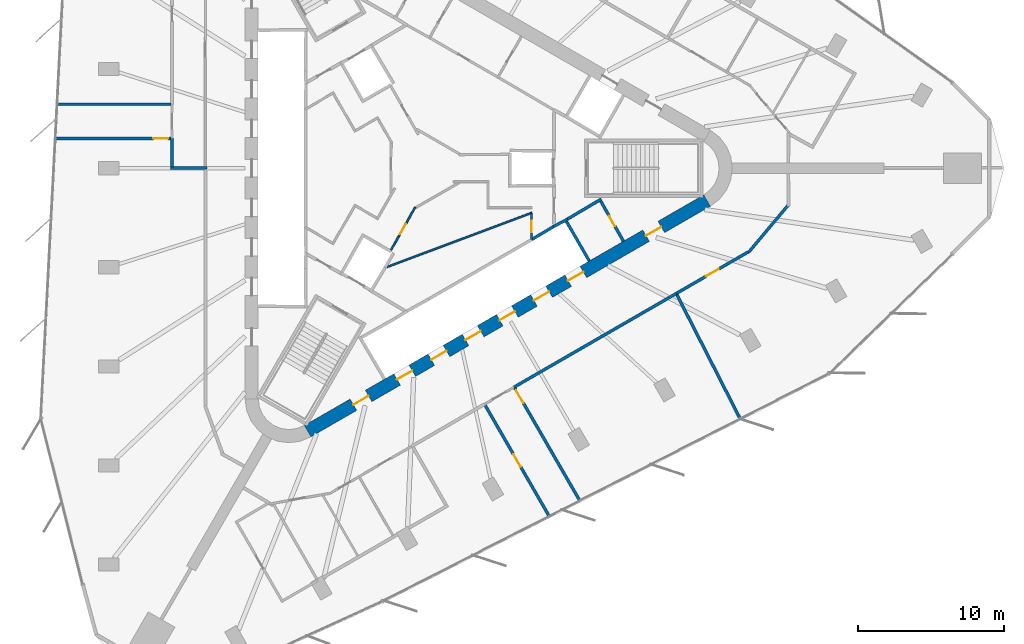
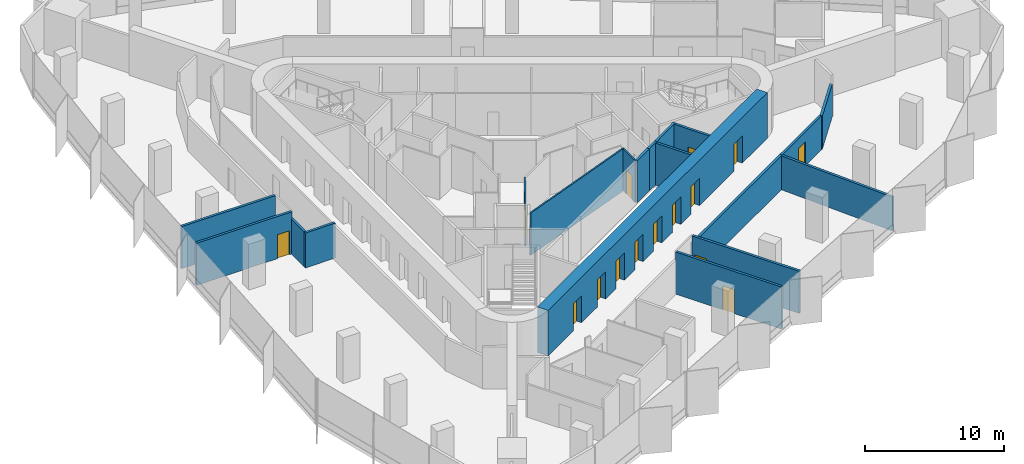
# One storey, part 9 of 14: 19 walls, 15 doors, 15 openings.
"""IFC4 building model written with IfcOpenShell, lengths in metres."""

from ifc_helpers import new_model, si_unit, direction, frame, frame_2d, origin, place, context, subcontext, project, spatial, rectangle, extrude, material, layer, layer_set, type_object, element, fill, save


model = new_model("IFC4")

# Units and contexts
model_context = context("Model", 3, precision=1e-05, world=origin(), true_north=direction((0.0, 1.0)))
body_context = subcontext(model_context, "Body", "Model", "MODEL_VIEW")
ifc_project = project(units=[si_unit("LENGTHUNIT", "METRE"), si_unit("AREAUNIT", "SQUARE_METRE"), si_unit("VOLUMEUNIT", "CUBIC_METRE"), si_unit("PLANEANGLEUNIT", "RADIAN"), si_unit("MASSUNIT", "GRAM", prefix="KILO")], contexts=[model_context])

# Site, building, storey
site_placement = place(None, origin())
site = spatial("IfcSite", under=ifc_project, at=site_placement, CompositionType="ELEMENT")
building_placement = place(site_placement, origin())
building = spatial("IfcBuilding", under=site, at=building_placement, Name="Tanit Gate Tower", CompositionType="ELEMENT")
storey_placement = place(building_placement, frame((0.0, 0.0, 261.199951171875)))
storey = spatial("IfcBuildingStorey", under=building, at=storey_placement, Name="L59", CompositionType="ELEMENT", Elevation=261.199951171875)

# Wall, openings, doors
ifc_material_1 = material(Name="Concrete C50/60", Category="concrete")
ifc_layer_1 = layer(ifc_material_1, 0.89990234375)
ifc_layer_set_1 = layer_set([ifc_layer_1], Name="CORE WALL 900 C50/60")
wall_type_1 = type_object("IfcWallType", Name="CORE WALL 900 C50/60", PredefinedType="SHEAR", material=ifc_layer_set_1)
wall_1_placement = place(storey_placement, frame((-7.824951171875, -17.969970703125, 0.0), z_axis=(0.0, 0.0, 1.0), x_axis=(0.866028369851, 0.499994862586, 0.0)))
wall_1 = element("IfcWall", 1, at=wall_1_placement, inside=storey, type_object=wall_type_1, Name="CORE WALL", PredefinedType="SHEAR", context=body_context, shape_type="SweptSolid", body=[
    extrude(rectangle(XDim=31.523193359375, YDim=0.89990234375, at=frame_2d((15.76171875, 0.0))), origin(), (0.0, 0.0, 1.0), 4.0),
])
opening_1_placement = place(wall_1_placement, frame((7.061767578125, 0.0, 0.0)))
opening_1 = element("IfcOpeningElement", 2, at=opening_1_placement, cuts=wall_1, Name="Opening LDSX1-S16", PredefinedType="OPENING", context=body_context, shape_type="SweptSolid", body=[
    extrude(rectangle(XDim=1.199951171875, YDim=2.39990234375, at=frame_2d((0.60009765625, 1.199951171875))), frame((0.0, 0.4599609375, 0.0), z_axis=(0.0, -1.0, 0.0), x_axis=(1.0, 0.0, 0.0)), (0.0, 0.0, 1.0), 0.919921875),
])
opening_2_placement = place(wall_1_placement, frame((9.76171875, 0.0, 0.0)))
opening_2 = element("IfcOpeningElement", 3, at=opening_2_placement, cuts=wall_1, Name="Opening LDSX2-S16", PredefinedType="OPENING", context=body_context, shape_type="SweptSolid", body=[
    extrude(rectangle(XDim=1.199951171875, YDim=2.39990234375, at=frame_2d((0.60009765625, 1.199951171875))), frame((0.0, 0.4599609375, 0.0), z_axis=(0.0, -1.0, 0.0), x_axis=(1.0, 0.0, 0.0)), (0.0, 0.0, 1.0), 0.919921875),
])
opening_3_placement = place(wall_1_placement, frame((12.461669921875, 0.0, 0.0)))
opening_3 = element("IfcOpeningElement", 4, at=opening_3_placement, cuts=wall_1, Name="Opening LDSX3-S16", PredefinedType="OPENING", context=body_context, shape_type="SweptSolid", body=[
    extrude(rectangle(XDim=1.199951171875, YDim=2.39990234375, at=frame_2d((0.60009765625, 1.199951171875))), frame((0.0, 0.4599609375, 0.0), z_axis=(0.0, -1.0, 0.0), x_axis=(1.0, 0.0, 0.0)), (0.0, 0.0, 1.0), 0.919921875),
])
opening_4_placement = place(wall_1_placement, frame((15.16162109375, 0.0, 0.0)))
opening_4 = element("IfcOpeningElement", 5, at=opening_4_placement, cuts=wall_1, Name="Opening LDSX4-S16", PredefinedType="OPENING", context=body_context, shape_type="SweptSolid", body=[
    extrude(rectangle(XDim=1.199951171875, YDim=2.39990234375, at=frame_2d((0.60009765625, 1.199951171875))), frame((0.0, 0.4599609375, 0.0), z_axis=(0.0, -1.0, 0.0), x_axis=(1.0, 0.0, 0.0)), (0.0, 0.0, 1.0), 0.919921875),
])
opening_5_placement = place(wall_1_placement, frame((17.861572265625, 0.0, 0.0)))
opening_5 = element("IfcOpeningElement", 6, at=opening_5_placement, cuts=wall_1, Name="Opening LDSV1-S16", PredefinedType="OPENING", context=body_context, shape_type="SweptSolid", body=[
    extrude(rectangle(XDim=1.199951171875, YDim=2.39990234375, at=frame_2d((0.60009765625, 1.199951171875))), frame((0.0, 0.4599609375, 0.0), z_axis=(0.0, -1.0, 0.0), x_axis=(1.0, 0.0, 0.0)), (0.0, 0.0, 1.0), 0.919921875),
])
opening_6_placement = place(wall_1_placement, frame((20.561767578125, 0.0, 0.0)))
opening_6 = element("IfcOpeningElement", 7, at=opening_6_placement, cuts=wall_1, Name="Opening LDSV2-S16", PredefinedType="OPENING", context=body_context, shape_type="SweptSolid", body=[
    extrude(rectangle(XDim=1.199951171875, YDim=2.39990234375, at=frame_2d((0.60009765625, 1.199951171875))), frame((0.0, 0.4599609375, 0.0), z_axis=(0.0, -1.0, 0.0), x_axis=(1.0, 0.0, 0.0)), (0.0, 0.0, 1.0), 0.919921875),
])
opening_7_placement = place(wall_1_placement, frame((26.711669921875, 0.0, 0.0)))
opening_7 = element("IfcOpeningElement", 8, at=opening_7_placement, cuts=wall_1, Name="Opening F12-S16-S1", PredefinedType="OPENING", context=body_context, shape_type="SweptSolid", body=[
    extrude(rectangle(XDim=1.199951171875, YDim=2.39990234375, at=frame_2d((0.60009765625, 1.199951171875))), frame((0.0, 0.4599609375, 0.0), z_axis=(0.0, -1.0, 0.0), x_axis=(1.0, 0.0, 0.0)), (0.0, 0.0, 1.0), 0.919921875),
])
opening_8_placement = place(wall_1_placement, frame((3.611572265625, 0.0, 0.0)))
opening_8 = element("IfcOpeningElement", 9, at=opening_8_placement, cuts=wall_1, Name="Opening F12-S16-FL3", PredefinedType="OPENING", context=body_context, shape_type="SweptSolid", body=[
    extrude(rectangle(XDim=1.199951171875, YDim=2.39990234375, at=frame_2d((0.60009765625, 1.199951171875))), frame((0.0, 0.4599609375, 0.0), z_axis=(0.0, -1.0, 0.0), x_axis=(1.0, 0.0, 0.0)), (0.0, 0.0, 1.0), 0.919921875),
])
ifc_material_2 = material(Name="Fire-rated steel door leaf", Category="steel")
door_type_1 = type_object("IfcDoorType", Name="INT-DOOR-FIRE-LOBBY-1200", OperationType="NOTDEFINED", PredefinedType="USERDEFINED", material=ifc_material_2)
door_1_placement = place(opening_7_placement, origin())
door_1 = element("IfcDoor", 10, at=door_1_placement, inside=storey, type_object=door_type_1, Name="Door F12-S16-S1", ObjectType="FIRE DOOR", OperationType="SINGLE_SWING_RIGHT", OverallHeight=2.39990234375, OverallWidth=1.199951171875, PredefinedType="USERDEFINED", context=body_context, shape_type="SweptSolid", body=[
    extrude(rectangle(XDim=1.199951171875, YDim=2.39990234375, at=frame_2d((0.60009765625, 1.199951171875))), frame((0.0, 0.02490234375, 0.0), z_axis=(0.0, -1.0, 0.0), x_axis=(1.0, 0.0, 0.0)), (0.0, 0.0, 1.0), 0.050048828125),
])
fill(opening_7, door_1)
door_2_placement = place(opening_8_placement, origin())
door_2 = element("IfcDoor", 11, at=door_2_placement, inside=storey, type_object=door_type_1, Name="Door F12-S16-FL3", ObjectType="FIRE DOOR", OperationType="SINGLE_SWING_LEFT", OverallHeight=2.39990234375, OverallWidth=1.199951171875, PredefinedType="USERDEFINED", context=body_context, shape_type="SweptSolid", body=[
    extrude(rectangle(XDim=1.199951171875, YDim=2.39990234375, at=frame_2d((0.60009765625, 1.199951171875))), frame((0.0, 0.02490234375, 0.0), z_axis=(0.0, -1.0, 0.0), x_axis=(1.0, 0.0, 0.0)), (0.0, 0.0, 1.0), 0.050048828125),
])
fill(opening_8, door_2)
ifc_material_3 = material(Name="Stainless steel sliding door leaf", Category="steel")
door_type_2 = type_object("IfcDoorType", Name="INT-DOOR-LANDING-1200", OperationType="NOTDEFINED", PredefinedType="USERDEFINED", material=ifc_material_3)
door_3_placement = place(opening_1_placement, origin())
door_3 = element("IfcDoor", 12, at=door_3_placement, inside=storey, type_object=door_type_2, Name="Door LDSX1-S16", ObjectType="LANDING DOOR", OperationType="SLIDING_TO_LEFT", OverallHeight=2.39990234375, OverallWidth=1.199951171875, PredefinedType="USERDEFINED", context=body_context, shape_type="SweptSolid", body=[
    extrude(rectangle(XDim=1.199951171875, YDim=2.39990234375, at=frame_2d((0.60009765625, 1.199951171875))), frame((0.0, 0.02490234375, 0.0), z_axis=(0.0, -1.0, 0.0), x_axis=(1.0, 0.0, 0.0)), (0.0, 0.0, 1.0), 0.050048828125),
])
fill(opening_1, door_3)
door_4_placement = place(opening_2_placement, origin())
door_4 = element("IfcDoor", 13, at=door_4_placement, inside=storey, type_object=door_type_2, Name="Door LDSX2-S16", ObjectType="LANDING DOOR", OperationType="SLIDING_TO_LEFT", OverallHeight=2.39990234375, OverallWidth=1.199951171875, PredefinedType="USERDEFINED", context=body_context, shape_type="SweptSolid", body=[
    extrude(rectangle(XDim=1.199951171875, YDim=2.39990234375, at=frame_2d((0.60009765625, 1.199951171875))), frame((0.0, 0.02490234375, 0.0), z_axis=(0.0, -1.0, 0.0), x_axis=(1.0, 0.0, 0.0)), (0.0, 0.0, 1.0), 0.050048828125),
])
fill(opening_2, door_4)
door_5_placement = place(opening_3_placement, origin())
door_5 = element("IfcDoor", 14, at=door_5_placement, inside=storey, type_object=door_type_2, Name="Door LDSX3-S16", ObjectType="LANDING DOOR", OperationType="SLIDING_TO_LEFT", OverallHeight=2.39990234375, OverallWidth=1.199951171875, PredefinedType="USERDEFINED", context=body_context, shape_type="SweptSolid", body=[
    extrude(rectangle(XDim=1.199951171875, YDim=2.39990234375, at=frame_2d((0.60009765625, 1.199951171875))), frame((0.0, 0.02490234375, 0.0), z_axis=(0.0, -1.0, 0.0), x_axis=(1.0, 0.0, 0.0)), (0.0, 0.0, 1.0), 0.050048828125),
])
fill(opening_3, door_5)
door_6_placement = place(opening_4_placement, origin())
door_6 = element("IfcDoor", 15, at=door_6_placement, inside=storey, type_object=door_type_2, Name="Door LDSX4-S16", ObjectType="LANDING DOOR", OperationType="SLIDING_TO_LEFT", OverallHeight=2.39990234375, OverallWidth=1.199951171875, PredefinedType="USERDEFINED", context=body_context, shape_type="SweptSolid", body=[
    extrude(rectangle(XDim=1.199951171875, YDim=2.39990234375, at=frame_2d((0.60009765625, 1.199951171875))), frame((0.0, 0.02490234375, 0.0), z_axis=(0.0, -1.0, 0.0), x_axis=(1.0, 0.0, 0.0)), (0.0, 0.0, 1.0), 0.050048828125),
])
fill(opening_4, door_6)
door_7_placement = place(opening_5_placement, origin())
door_7 = element("IfcDoor", 16, at=door_7_placement, inside=storey, type_object=door_type_2, Name="Door LDSV1-S16", ObjectType="LANDING DOOR", OperationType="SLIDING_TO_LEFT", OverallHeight=2.39990234375, OverallWidth=1.199951171875, PredefinedType="USERDEFINED", context=body_context, shape_type="SweptSolid", body=[
    extrude(rectangle(XDim=1.199951171875, YDim=2.39990234375, at=frame_2d((0.60009765625, 1.199951171875))), frame((0.0, 0.02490234375, 0.0), z_axis=(0.0, -1.0, 0.0), x_axis=(1.0, 0.0, 0.0)), (0.0, 0.0, 1.0), 0.050048828125),
])
fill(opening_5, door_7)
door_8_placement = place(opening_6_placement, origin())
door_8 = element("IfcDoor", 17, at=door_8_placement, inside=storey, type_object=door_type_2, Name="Door LDSV2-S16", ObjectType="LANDING DOOR", OperationType="SLIDING_TO_LEFT", OverallHeight=2.39990234375, OverallWidth=1.199951171875, PredefinedType="USERDEFINED", context=body_context, shape_type="SweptSolid", body=[
    extrude(rectangle(XDim=1.199951171875, YDim=2.39990234375, at=frame_2d((0.60009765625, 1.199951171875))), frame((0.0, 0.02490234375, 0.0), z_axis=(0.0, -1.0, 0.0), x_axis=(1.0, 0.0, 0.0)), (0.0, 0.0, 1.0), 0.050048828125),
])
fill(opening_6, door_8)

# Wall
ifc_material_4 = material(Name="Fire-rated gypsum board partition")
ifc_layer_2 = layer(ifc_material_4, 0.199951171875)
ifc_layer_set_2 = layer_set([ifc_layer_2], Name="INT-WALL-COMPARTMENT")
wall_type_2 = type_object("IfcWallType", Name="INT-WALL-COMPARTMENT", PredefinedType="PARTITIONING", material=ifc_layer_set_2)
wall_2_placement = place(storey_placement, frame((12.244873046875, -2.10888671875, 0.0), z_axis=(0.0, 0.0, 1.0), x_axis=(-0.860414880418, -0.509594185166, 0.0)))
element("IfcWall", 18, at=wall_2_placement, inside=storey, type_object=wall_type_2, Name="Wall Compartment W060", PredefinedType="PARTITIONING", context=body_context, shape_type="SweptSolid", body=[
    extrude(rectangle(XDim=2.7001953125, YDim=0.199951171875, at=frame_2d((1.35009765625, 0.0))), origin(), (0.0, 0.0, 1.0), 3.699951171875),
])

# Wall, opening, door
wall_3_placement = place(storey_placement, frame((13.758056640625, -4.989501953125, 0.0), z_axis=(0.0, 0.0, 1.0), x_axis=(-0.491993409184, 0.87059892334, 0.0)))
wall_3 = element("IfcWall", 19, at=wall_3_placement, inside=storey, type_object=wall_type_2, Name="Wall Compartment W061", PredefinedType="PARTITIONING", context=body_context, shape_type="SweptSolid", body=[
    extrude(rectangle(XDim=3.150146484375, YDim=0.199951171875, at=frame_2d((1.5751953125, 0.0))), origin(), (0.0, 0.0, 1.0), 3.699951171875),
])
opening_9_placement = place(wall_3_placement, frame((1.175048828125, 0.0, 0.0)))
opening_9 = element("IfcOpeningElement", 20, at=opening_9_placement, cuts=wall_3, Name="Opening R08-S16-17", PredefinedType="OPENING", context=body_context, shape_type="SweptSolid", body=[
    extrude(rectangle(XDim=0.800048828125, YDim=2.10009765625, at=frame_2d((0.39990234375, 1.050048828125))), frame((0.0, 0.10986328125, 0.0), z_axis=(0.0, -1.0, 0.0), x_axis=(1.0, 0.0, 0.0)), (0.0, 0.0, 1.0), 0.219970703125),
])
ifc_material_5 = material(Name="Timber door leaf", Category="wood")
door_type_3 = type_object("IfcDoorType", Name="INT-DOOR-RISER-800", OperationType="NOTDEFINED", PredefinedType="USERDEFINED", material=ifc_material_5)
door_9_placement = place(opening_9_placement, origin())
door_9 = element("IfcDoor", 21, at=door_9_placement, inside=storey, type_object=door_type_3, Name="Door R08-S16-17", ObjectType="FIRE DOOR", OperationType="SINGLE_SWING_RIGHT", OverallHeight=2.10009765625, OverallWidth=0.800048828125, PredefinedType="USERDEFINED", context=body_context, shape_type="SweptSolid", body=[
    extrude(rectangle(XDim=0.800048828125, YDim=2.10009765625, at=frame_2d((0.39990234375, 1.050048828125))), frame((0.0, 0.02490234375, 0.0), z_axis=(0.0, -1.0, 0.0), x_axis=(1.0, 0.0, 0.0)), (0.0, 0.0, 1.0), 0.050048828125),
])
fill(opening_9, door_9)

# Walls
wall_4_placement = place(storey_placement, frame((-17.199951171875, -0.001220703125, 0.0), z_axis=(0.0, 0.0, 1.0), x_axis=(0.999915662945, 0.012987185857, 0.0)))
element("IfcWall", 22, at=wall_4_placement, inside=storey, type_object=wall_type_2, Name="Wall Compartment W091", PredefinedType="PARTITIONING", context=body_context, shape_type="SweptSolid", body=[
    extrude(rectangle(XDim=2.500244140625, YDim=0.199951171875, at=frame_2d((1.25, 0.0))), origin(), (0.0, 0.0, 1.0), 3.070068359375),
])
wall_5_placement = place(storey_placement, frame((-17.10009765625, 2.050048828125, 0.0), z_axis=(0.0, 0.0, 1.0), x_axis=(0.0, -1.0, 0.0)))
element("IfcWall", 23, at=wall_5_placement, inside=storey, type_object=wall_type_2, Name="Wall Compartment W092", PredefinedType="PARTITIONING", context=body_context, shape_type="SweptSolid", body=[
    extrude(rectangle(XDim=1.949951171875, YDim=0.199951171875, at=frame_2d((0.97509765625, 0.0))), origin(), (0.0, 0.0, 1.0), 3.070068359375),
])
wall_6_placement = place(storey_placement, frame((22.315185546875, -5.746337890625, 0.0), z_axis=(0.0, 0.0, 1.0), x_axis=(0.642828004621, 0.76601054593, 0.0)))
element("IfcWall", 24, at=wall_6_placement, inside=storey, type_object=wall_type_2, Name="Wall Compartment W111", PredefinedType="PARTITIONING", context=body_context, shape_type="SweptSolid", body=[
    extrude(rectangle(XDim=4.19970703125, YDim=0.199951171875, at=frame_2d((2.099853515625, 0.0))), origin(), (0.0, 0.0, 1.0), 2.880126953125),
])
wall_7_placement = place(storey_placement, frame((6.274658203125, -14.968017578125, 0.0), z_axis=(0.0, 0.0, 1.0), x_axis=(0.866025615516, 0.499999633269, 0.0)))
element("IfcWall", 25, at=wall_7_placement, inside=storey, type_object=wall_type_2, Name="Wall Compartment W113", PredefinedType="PARTITIONING", context=body_context, shape_type="SweptSolid", body=[
    extrude(rectangle(XDim=12.83447265625, YDim=0.199951171875, at=frame_2d((6.417236328125, 0.0))), origin(), (0.0, 0.0, 1.0), 2.97998046875),
])

# Wall, opening, door
wall_8_placement = place(storey_placement, frame((17.3896484375, -8.55078125, 0.0), z_axis=(0.0, 0.0, 1.0), x_axis=(0.866034791923, 0.499983738914, 0.0)))
wall_8 = element("IfcWall", 26, at=wall_8_placement, inside=storey, type_object=wall_type_2, Name="Wall Compartment W112", PredefinedType="PARTITIONING", context=body_context, shape_type="SweptSolid", body=[
    extrude(rectangle(XDim=5.661865234375, YDim=0.199951171875, at=frame_2d((2.8310546875, 0.0))), origin(), (0.0, 0.0, 1.0), 2.97998046875),
])
opening_10_placement = place(wall_8_placement, frame((2.330810546875, 0.0, 0.0)))
opening_10 = element("IfcOpeningElement", 27, at=opening_10_placement, cuts=wall_8, Name="Opening F10-S16-34", PredefinedType="OPENING", context=body_context, shape_type="SweptSolid", body=[
    extrude(rectangle(XDim=1.0, YDim=2.10009765625, at=frame_2d((0.5, 1.050048828125))), frame((0.0, 0.10986328125, 0.0), z_axis=(0.0, -1.0, 0.0), x_axis=(1.0, 0.0, 0.0)), (0.0, 0.0, 1.0), 0.219970703125),
])
ifc_material_6 = material(Name="Fire-rated steel door leaf", Category="steel")
door_type_4 = type_object("IfcDoorType", Name="INT-DOOR-FIRE-1000", OperationType="NOTDEFINED", PredefinedType="USERDEFINED", material=ifc_material_6)
door_10_placement = place(opening_10_placement, origin())
door_10 = element("IfcDoor", 28, at=door_10_placement, inside=storey, type_object=door_type_4, Name="Door F10-S16-34", ObjectType="FIRE DOOR", OperationType="SINGLE_SWING_LEFT", OverallHeight=2.10009765625, OverallWidth=1.0, PredefinedType="USERDEFINED", context=body_context, shape_type="SweptSolid", body=[
    extrude(rectangle(XDim=1.0, YDim=2.10009765625, at=frame_2d((0.5, 1.050048828125))), frame((0.0, 0.02490234375, 0.0), z_axis=(0.0, -1.0, 0.0), x_axis=(1.0, 0.0, 0.0)), (0.0, 0.0, 1.0), 0.050048828125),
])
fill(opening_10, door_10)

wall_9_placement = place(storey_placement, frame((-25.060791015625, 2.030029296875, 0.0), z_axis=(0.0, 0.0, 1.0), x_axis=(1.0, 0.0, 0.0)))
wall_9 = element("IfcWall", 29, at=wall_9_placement, inside=storey, type_object=wall_type_2, Name="Wall Compartment W120", PredefinedType="PARTITIONING", context=body_context, shape_type="SweptSolid", body=[
    extrude(rectangle(XDim=7.90087890625, YDim=0.199951171875, at=frame_2d((3.950439453125, 0.0))), origin(), (0.0, 0.0, 1.0), 3.699951171875),
])
opening_11_placement = place(wall_9_placement, frame((6.700927734375, 0.0, 0.0)))
opening_11 = element("IfcOpeningElement", 30, at=opening_11_placement, cuts=wall_9, Name="Opening F10-S16-30", PredefinedType="OPENING", context=body_context, shape_type="SweptSolid", body=[
    extrude(rectangle(XDim=1.0, YDim=2.10009765625, at=frame_2d((0.5, 1.050048828125))), frame((0.0, 0.10986328125, 0.0), z_axis=(0.0, -1.0, 0.0), x_axis=(1.0, 0.0, 0.0)), (0.0, 0.0, 1.0), 0.219970703125),
])
door_11_placement = place(opening_11_placement, origin())
door_11 = element("IfcDoor", 31, at=door_11_placement, inside=storey, type_object=door_type_4, Name="Door F10-S16-30", ObjectType="FIRE DOOR", OperationType="SINGLE_SWING_LEFT", OverallHeight=2.10009765625, OverallWidth=1.0, PredefinedType="USERDEFINED", context=body_context, shape_type="SweptSolid", body=[
    extrude(rectangle(XDim=1.0, YDim=2.10009765625, at=frame_2d((0.5, 1.050048828125))), frame((0.0, 0.02490234375, 0.0), z_axis=(0.0, -1.0, 0.0), x_axis=(1.0, 0.0, 0.0)), (0.0, 0.0, 1.0), 0.050048828125),
])
fill(opening_11, door_11)

# Wall
wall_10_placement = place(storey_placement, frame((-17.159912109375, 4.3701171875, 0.0), z_axis=(0.0, 0.0, 1.0), x_axis=(-1.0, 0.0, 0.0)))
element("IfcWall", 32, at=wall_10_placement, inside=storey, type_object=wall_type_2, Name="Wall Compartment W121", PredefinedType="PARTITIONING", context=body_context, shape_type="SweptSolid", body=[
    extrude(rectangle(XDim=7.779296875, YDim=0.199951171875, at=frame_2d((3.8896484375, 0.0))), origin(), (0.0, 0.0, 1.0), 3.699951171875),
])

# Wall, opening, door
wall_11_placement = place(storey_placement, frame((10.7724609375, -22.71826171875, 0.0), z_axis=(0.0, 0.0, 1.0), x_axis=(-0.500006581979, 0.866021603644, 0.0)))
wall_11 = element("IfcWall", 33, at=wall_11_placement, inside=storey, type_object=wall_type_2, Name="Wall Compartment W136", PredefinedType="PARTITIONING", context=body_context, shape_type="SweptSolid", body=[
    extrude(rectangle(XDim=8.90087890625, YDim=0.199951171875, at=frame_2d((4.450439453125, 0.0))), origin(), (0.0, 0.0, 1.0), 3.699951171875),
])
opening_12_placement = place(wall_11_placement, frame((7.700927734375, 0.0, 0.0)))
opening_12 = element("IfcOpeningElement", 34, at=opening_12_placement, cuts=wall_11, Name="Opening F10-S16-35", PredefinedType="OPENING", context=body_context, shape_type="SweptSolid", body=[
    extrude(rectangle(XDim=1.0, YDim=2.10009765625, at=frame_2d((0.5, 1.050048828125))), frame((0.0, 0.10986328125, 0.0), z_axis=(0.0, -1.0, 0.0), x_axis=(1.0, 0.0, 0.0)), (0.0, 0.0, 1.0), 0.219970703125),
])
door_12_placement = place(opening_12_placement, origin())
door_12 = element("IfcDoor", 35, at=door_12_placement, inside=storey, type_object=door_type_4, Name="Door F10-S16-35", ObjectType="FIRE DOOR", OperationType="SINGLE_SWING_RIGHT", OverallHeight=2.10009765625, OverallWidth=1.0, PredefinedType="USERDEFINED", context=body_context, shape_type="SweptSolid", body=[
    extrude(rectangle(XDim=1.0, YDim=2.10009765625, at=frame_2d((0.5, 1.050048828125))), frame((0.0, 0.02490234375, 0.0), z_axis=(0.0, -1.0, 0.0), x_axis=(1.0, 0.0, 0.0)), (0.0, 0.0, 1.0), 0.050048828125),
])
fill(opening_12, door_12)

wall_12_placement = place(storey_placement, frame((4.29541015625, -16.179931640625, 0.0), z_axis=(0.0, 0.0, 1.0), x_axis=(0.499991252212, -0.866030454263, 0.0)))
wall_12 = element("IfcWall", 36, at=wall_12_placement, inside=storey, type_object=wall_type_2, Name="Wall Compartment W137", PredefinedType="PARTITIONING", context=body_context, shape_type="SweptSolid", body=[
    extrude(rectangle(XDim=8.779541015625, YDim=0.199951171875, at=frame_2d((4.3896484375, 0.0))), origin(), (0.0, 0.0, 1.0), 3.699951171875),
])
opening_13_placement = place(wall_12_placement, frame((3.8896484375, 0.0, 0.0)))
opening_13 = element("IfcOpeningElement", 37, at=opening_13_placement, cuts=wall_12, Name="Opening F10-S16-36", PredefinedType="OPENING", context=body_context, shape_type="SweptSolid", body=[
    extrude(rectangle(XDim=1.0, YDim=2.10009765625, at=frame_2d((0.5, 1.050048828125))), frame((0.0, 0.10986328125, 0.0), z_axis=(0.0, -1.0, 0.0), x_axis=(1.0, 0.0, 0.0)), (0.0, 0.0, 1.0), 0.219970703125),
])
door_13_placement = place(opening_13_placement, origin())
door_13 = element("IfcDoor", 38, at=door_13_placement, inside=storey, type_object=door_type_4, Name="Door F10-S16-36", ObjectType="FIRE DOOR", OperationType="SINGLE_SWING_RIGHT", OverallHeight=2.10009765625, OverallWidth=1.0, PredefinedType="USERDEFINED", context=body_context, shape_type="SweptSolid", body=[
    extrude(rectangle(XDim=1.0, YDim=2.10009765625, at=frame_2d((0.5, 1.050048828125))), frame((0.0, 0.02490234375, 0.0), z_axis=(0.0, -1.0, 0.0), x_axis=(1.0, 0.0, 0.0)), (0.0, 0.0, 1.0), 0.050048828125),
])
fill(opening_13, door_13)

# Walls
wall_13_placement = place(storey_placement, frame((17.41552734375, -8.6513671875, 0.0), z_axis=(0.0, 0.0, 1.0), x_axis=(0.45442670118, -0.890784133926, 0.0)))
element("IfcWall", 39, at=wall_13_placement, inside=storey, type_object=wall_type_2, Name="Wall Compartment W138", PredefinedType="PARTITIONING", context=body_context, shape_type="SweptSolid", body=[
    extrude(rectangle(XDim=9.511962890625, YDim=0.199951171875, at=frame_2d((4.755859375, 0.0))), origin(), (0.0, 0.0, 1.0), 2.97998046875),
])
ifc_material_7 = material(Name="Gypsum board partition")
ifc_layer_3 = layer(ifc_material_7, 0.1201171875)
ifc_layer_set_3 = layer_set([ifc_layer_3], Name="INT-WALL-PARTITION")
wall_type_3 = type_object("IfcWallType", Name="INT-WALL-PARTITION", PredefinedType="PARTITIONING", material=ifc_layer_set_3)
wall_14_placement = place(storey_placement, frame((7.5, -3.04248046875, 0.0), z_axis=(0.0, 0.0, 1.0), x_axis=(-0.936345316301, -0.35108040196, 0.0)))
element("IfcWall", 40, at=wall_14_placement, inside=storey, type_object=wall_type_3, Name="Wall Partition W071", PredefinedType="PARTITIONING", context=body_context, shape_type="SweptSolid", body=[
    extrude(rectangle(XDim=10.56787109375, YDim=0.1201171875, at=frame_2d((5.283935546875, 0.0))), origin(), (0.0, 0.0, 1.0), 3.699951171875),
])

# Wall, opening, door
wall_15_placement = place(storey_placement, frame((-0.4658203125, -2.655029296875, 0.0), z_axis=(0.0, 0.0, 1.0), x_axis=(-0.49235580986, -0.870394023703, 0.0)))
wall_15 = element("IfcWall", 41, at=wall_15_placement, inside=storey, type_object=wall_type_3, Name="Wall Partition W072", PredefinedType="PARTITIONING", context=body_context, shape_type="SweptSolid", body=[
    extrude(rectangle(XDim=3.367919921875, YDim=0.1201171875, at=frame_2d((1.68408203125, 0.0))), origin(), (0.0, 0.0, 1.0), 3.699951171875),
])
opening_14_placement = place(wall_15_placement, frame((1.334716796875, 0.0, 0.0)))
opening_14 = element("IfcOpeningElement", 42, at=opening_14_placement, cuts=wall_15, Name="Opening R08-S16-11", PredefinedType="OPENING", context=body_context, shape_type="SweptSolid", body=[
    extrude(rectangle(XDim=0.800048828125, YDim=2.10009765625, at=frame_2d((0.39990234375, 1.050048828125))), frame((0.0, 0.070068359375, 0.0), z_axis=(0.0, -1.0, 0.0), x_axis=(1.0, 0.0, 0.0)), (0.0, 0.0, 1.0), 0.14013671875),
])
door_14_placement = place(opening_14_placement, origin())
door_14 = element("IfcDoor", 43, at=door_14_placement, inside=storey, type_object=door_type_3, Name="Door R08-S16-11", ObjectType="FIRE DOOR", OperationType="SINGLE_SWING_RIGHT", OverallHeight=2.10009765625, OverallWidth=0.800048828125, PredefinedType="USERDEFINED", context=body_context, shape_type="SweptSolid", body=[
    extrude(rectangle(XDim=0.800048828125, YDim=2.10009765625, at=frame_2d((0.39990234375, 1.050048828125))), frame((0.0, 0.02490234375, 0.0), z_axis=(0.0, -1.0, 0.0), x_axis=(1.0, 0.0, 0.0)), (0.0, 0.0, 1.0), 0.050048828125),
])
fill(opening_14, door_14)

wall_16_placement = place(storey_placement, frame((7.474609375, -4.864501953125, 0.0), z_axis=(0.0, 0.0, 1.0), x_axis=(-0.002330037535, 0.999997285459, 0.0)))
wall_16 = element("IfcWall", 44, at=wall_16_placement, inside=storey, type_object=wall_type_3, Name="Wall Partition W077", PredefinedType="PARTITIONING", context=body_context, shape_type="SweptSolid", body=[
    extrude(rectangle(XDim=1.78125, YDim=0.1201171875, at=frame_2d((0.890625, 0.0))), origin(), (0.0, 0.0, 1.0), 3.699951171875),
])
opening_15_placement = place(wall_16_placement, frame((0.490478515625, 0.0, 0.0)))
opening_15 = element("IfcOpeningElement", 45, at=opening_15_placement, cuts=wall_16, Name="Opening R08-S16-12", PredefinedType="OPENING", context=body_context, shape_type="SweptSolid", body=[
    extrude(rectangle(XDim=0.800048828125, YDim=2.10009765625, at=frame_2d((0.39990234375, 1.050048828125))), frame((0.0, 0.070068359375, 0.0), z_axis=(0.0, -1.0, 0.0), x_axis=(1.0, 0.0, 0.0)), (0.0, 0.0, 1.0), 0.14013671875),
])
door_15_placement = place(opening_15_placement, origin())
door_15 = element("IfcDoor", 46, at=door_15_placement, inside=storey, type_object=door_type_3, Name="Door R08-S16-12", ObjectType="FIRE DOOR", OperationType="SINGLE_SWING_LEFT", OverallHeight=2.10009765625, OverallWidth=0.800048828125, PredefinedType="USERDEFINED", context=body_context, shape_type="SweptSolid", body=[
    extrude(rectangle(XDim=0.800048828125, YDim=2.10009765625, at=frame_2d((0.39990234375, 1.050048828125))), frame((0.0, 0.02490234375, 0.0), z_axis=(0.0, -1.0, 0.0), x_axis=(1.0, 0.0, 0.0)), (0.0, 0.0, 1.0), 0.050048828125),
])
fill(opening_15, door_15)

# Walls
ifc_material_8 = material(Name="Gypsum shaft wall system")
ifc_layer_4 = layer(ifc_material_8, 0.199951171875)
ifc_layer_set_4 = layer_set([ifc_layer_4], Name="INT-WALL-SHAFT")
wall_type_4 = type_object("IfcWallType", Name="INT-WALL-SHAFT", PredefinedType="PLUMBINGWALL", material=ifc_layer_set_4)
wall_17_placement = place(storey_placement, frame((9.794677734375, -3.52490234375, 0.0), z_axis=(0.0, 0.0, 1.0), x_axis=(0.499984717929, -0.866034226713, 0.0)))
element("IfcWall", 47, at=wall_17_placement, inside=storey, type_object=wall_type_4, Name="Wall Shaft W016", PredefinedType="PLUMBINGWALL", context=body_context, shape_type="SweptSolid", body=[
    extrude(rectangle(XDim=3.25, YDim=0.199951171875, at=frame_2d((1.625, 0.0))), origin(), (0.0, 0.0, 1.0), 3.699951171875),
])
wall_18_placement = place(storey_placement, frame((8.97412109375, -3.998779296875, 0.0), z_axis=(0.0, 0.0, 1.0), x_axis=(0.880907015104, 0.473289373154, 0.0)))
element("IfcWall", 48, at=wall_18_placement, inside=storey, type_object=wall_type_4, Name="Wall Shaft W017", PredefinedType="PLUMBINGWALL", context=body_context, shape_type="SweptSolid", body=[
    extrude(rectangle(XDim=1.078125, YDim=0.199951171875, at=frame_2d((0.5390625, 0.0))), origin(), (0.0, 0.0, 1.0), 3.699951171875),
])
wall_19_placement = place(storey_placement, frame((7.4931640625, -4.87841796875, 0.0), z_axis=(0.0, 0.0, 1.0), x_axis=(0.859981807212, 0.510324691999, 0.0)))
element("IfcWall", 49, at=wall_19_placement, inside=storey, type_object=wall_type_4, Name="Wall Shaft W018", PredefinedType="PLUMBINGWALL", context=body_context, shape_type="SweptSolid", body=[
    extrude(rectangle(XDim=1.8447265625, YDim=0.199951171875, at=frame_2d((0.92236328125, 0.0))), origin(), (0.0, 0.0, 1.0), 3.699951171875),
])

save(model, "model.ifc")
